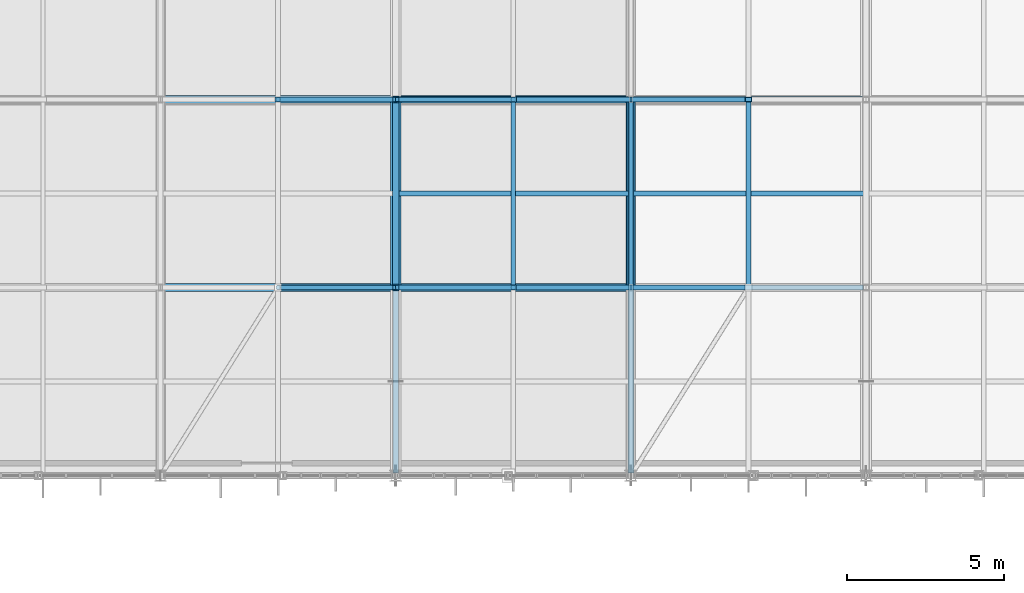
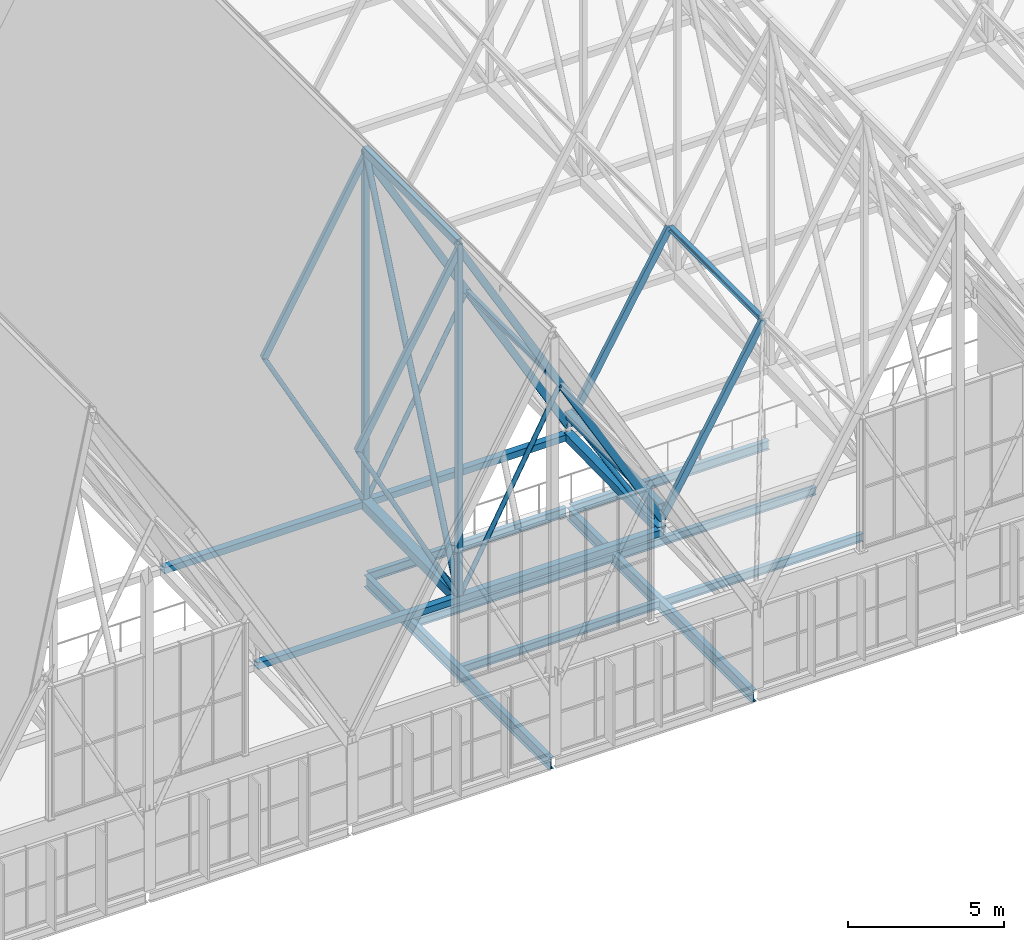
# One storey, part 132 of 324: 22 members, 10 beams.
"""IFC4 building model written with IfcOpenShell, lengths in metres."""

from ifc_helpers import new_model, si_unit, direction, frame, origin, origin_2d, place, context, subcontext, project, spatial, hollow_rectangle, hollow_circle, i_section, extrude, material, material_profile, profile_set, type_object, element, save


model = new_model("IFC4")

# Units and contexts
model_context = context("Model", 3, precision=1e-05, world=origin(), true_north=direction((0.0, 1.0)))
body_context = subcontext(model_context, "Body", "Model", "MODEL_VIEW")
ifc_project = project(units=[si_unit("LENGTHUNIT", "METRE"), si_unit("AREAUNIT", "SQUARE_METRE"), si_unit("VOLUMEUNIT", "CUBIC_METRE"), si_unit("PLANEANGLEUNIT", "RADIAN"), si_unit("MASSUNIT", "GRAM", prefix="KILO")], contexts=[model_context])

# Site, building, storey
site_placement = place(None, origin())
site = spatial("IfcSite", under=ifc_project, at=site_placement, CompositionType="ELEMENT")
building_placement = place(site_placement, origin())
building = spatial("IfcBuilding", under=site, at=building_placement, Name="Solvenia Promenade Tram Depot", CompositionType="ELEMENT")
storey_placement = place(building_placement, frame((0.0, 0.0, 4.5)))
storey = spatial("IfcBuildingStorey", under=building, at=storey_placement, Name="L01", CompositionType="ELEMENT", Elevation=4.5)

# Beams
ifc_material_1 = material(Name="Structural steel ASTM A992 Gr. 50", Category="steel")
ifc_material_profile_1 = material_profile(ifc_material_1, i_section(OverallWidth=0.19091796875, OverallDepth=0.4599609375, WebThickness=0.010009765625, FlangeThickness=0.01611328125, FilletRadius=0.012939453125, at=origin_2d()), Name="W460x82", Category="steel")
ifc_profile_set_1 = profile_set([ifc_material_profile_1], Name="Structural steel ASTM A992 Gr. 50")
beam_type_1 = type_object("IfcBeamType", Name="Beam-W460x82", PredefinedType="BEAM", material=ifc_profile_set_1)
for number, where, z_axis, x_axis, name in (
    (1, (82.5, 66.0849609375, -0.449951171875), (0.0, 1.0, 0.0), (-1.0, 0.0, 0.0), "Transverse Girder BM-L01-0052"),
    (2, (90.0, 66.0849609375, -0.449951171875), (0.0, 1.0, 0.0), (-1.0, 0.0, 0.0), "Transverse Girder BM-L01-0053"),
):
    element("IfcBeam", number, at=place(storey_placement, frame(where, z_axis=z_axis, x_axis=x_axis)), inside=storey, type_object=beam_type_1, Name=name, PredefinedType="BEAM", context=body_context, shape_type="SweptSolid", body=[
        extrude(i_section(OverallWidth=0.19091796875, OverallDepth=0.4599609375, WebThickness=0.010009765625, FlangeThickness=0.01611328125, FilletRadius=0.012939453125, at=origin_2d()), origin(), (0.0, 0.0, 1.0), 11.830078125),
    ])

# Members
ifc_material_2 = material(Name="Structural steel ASTM A500 Gr. C", Category="steel")
ifc_material_profile_2 = material_profile(ifc_material_2, hollow_circle(Radius=0.109619140625, WallThickness=0.008056640625, at=origin_2d()), Name="CHS219.1x8", Category="steel")
ifc_profile_set_2 = profile_set([ifc_material_profile_2], Name="Structural steel ASTM A500 Gr. C")
member_type_1 = type_object("IfcMemberType", Name="Brace-CHS219x8", PredefinedType="BRACE", material=ifc_profile_set_2)
member_1_placement = place(storey_placement, frame((82.5, 72.0, 2.446044921875), z_axis=(0.0, 0.396934686746, 0.917846857846), x_axis=(-1.0, 0.0, 0.0)))
element("IfcMember", 3, at=member_1_placement, inside=storey, type_object=member_type_1, Name="Arched Truss T12 Web Diagonal S02", PredefinedType="BRACE", context=body_context, shape_type="SweptSolid", body=[
    extrude(hollow_circle(Radius=0.109619140625, WallThickness=0.008056640625, at=origin_2d()), origin(), (0.0, 0.0, 1.0), 15.11572265625),
])
ifc_material_profile_3 = material_profile(ifc_material_2, hollow_rectangle(XDim=0.14990234375, YDim=0.25, WallThickness=0.010009765625, at=origin_2d()), Name="HSS250x150x10", Category="steel")
ifc_profile_set_3 = profile_set([ifc_material_profile_3], Name="Structural steel ASTM A500 Gr. C")
member_type_2 = type_object("IfcMemberType", Name="Chord-HSS250x150x10", PredefinedType="CHORD", material=ifc_profile_set_3)
for number, where, z_axis, x_axis, name in (
    (4, (78.75, 72.0, 9.501220703125), (0.494861595532, 0.0, 0.868971806946), (0.0, 1.0, 0.0), "Zigzag Gable 06 West Upper Rafter"),
    (5, (82.5, 72.0, 16.086181640625), (0.494861595532, 0.0, -0.868971806946), (0.0, 1.0, 0.0), "Zigzag Gable 06 East Upper Rafter"),
    (6, (86.25, 72.0, 9.501220703125), (0.494861595532, 0.0, -0.868971806946), (0.0, 1.0, 0.0), "Zigzag Gable 06 East Lower Rafter"),
    (7, (78.75, 78.0, 9.501220703125), (0.494861595532, 0.0, 0.868971806946), (0.0, 1.0, 0.0), "Zigzag Gable 06 West Upper Rafter"),
    (8, (82.5, 78.0, 16.086181640625), (0.494861595532, 0.0, -0.868971806946), (0.0, 1.0, 0.0), "Zigzag Gable 06 East Upper Rafter"),
    (9, (86.25, 78.0, 9.501220703125), (0.494861595532, 0.0, -0.868971806946), (0.0, 1.0, 0.0), "Zigzag Gable 06 East Lower Rafter"),
):
    element("IfcMember", number, at=place(storey_placement, frame(where, z_axis=z_axis, x_axis=x_axis)), inside=storey, type_object=member_type_2, Name=name, PredefinedType="CHORD", context=body_context, shape_type="SweptSolid", body=[
        extrude(hollow_rectangle(XDim=0.14990234375, YDim=0.25, WallThickness=0.010009765625, at=origin_2d()), origin(), (0.0, 0.0, 1.0), 7.577880859375),
    ])
for number, where, z_axis, x_axis, name in (
    (10, (90.0, 72.0, 2.921142578125), (0.501516268578, 0.0, 0.865148214095), (0.0, 1.0, 0.0), "Zigzag Gable 07 West Lower Rafter"),
    (11, (90.0, 78.0, 2.921142578125), (0.501516268578, 0.0, 0.865148214095), (0.0, 1.0, 0.0), "Zigzag Gable 07 West Lower Rafter"),
):
    element("IfcMember", number, at=place(storey_placement, frame(where, z_axis=z_axis, x_axis=x_axis)), inside=storey, type_object=member_type_2, Name=name, PredefinedType="CHORD", context=body_context, shape_type="SweptSolid", body=[
        extrude(hollow_rectangle(XDim=0.14990234375, YDim=0.25, WallThickness=0.010009765625, at=origin_2d()), origin(), (0.0, 0.0, 1.0), 7.477294921875),
    ])
ifc_material_profile_4 = material_profile(ifc_material_2, hollow_rectangle(XDim=0.25, YDim=0.25, WallThickness=0.010009765625, at=origin_2d()), Name="HSS250x250x10", Category="steel")
ifc_profile_set_4 = profile_set([ifc_material_profile_4], Name="Structural steel ASTM A500 Gr. C")
member_type_3 = type_object("IfcMemberType", Name="Chord-HSS250x250x10", PredefinedType="CHORD", material=ifc_profile_set_4)
member_2_placement = place(storey_placement, frame((90.0, 72.0, 3.3798828125), z_axis=(0.0, 1.0, 0.0), x_axis=(-1.0, 0.0, 0.0)))
element("IfcMember", 12, at=member_2_placement, inside=storey, type_object=member_type_3, Name="Arched Truss T13 Upper Chord S02", PredefinedType="CHORD", context=body_context, shape_type="SweptSolid", body=[
    extrude(hollow_rectangle(XDim=0.25, YDim=0.25, WallThickness=0.010009765625, at=origin_2d()), origin(), (0.0, 0.0, 1.0), 6.0),
])
for number, where, z_axis, x_axis, name in (
    (13, (75.0, 72.0, 2.446044921875), (1.0, 0.0, 0.0), (0.0, 1.0, 0.0), "Bottom-Chord Catenary Lateral Tie 046"),
    (14, (75.0, 78.0, 2.5439453125), (1.0, 0.0, 0.0), (0.0, 1.0, 0.0), "Bottom-Chord Catenary Lateral Tie 047"),
):
    element("IfcMember", number, at=place(storey_placement, frame(where, z_axis=z_axis, x_axis=x_axis)), inside=storey, type_object=member_type_3, Name=name, PredefinedType="CHORD", context=body_context, shape_type="SweptSolid", body=[
        extrude(hollow_rectangle(XDim=0.25, YDim=0.25, WallThickness=0.010009765625, at=origin_2d()), origin(), (0.0, 0.0, 1.0), 15.0),
    ])
ifc_material_profile_5 = material_profile(ifc_material_2, hollow_rectangle(XDim=0.199951171875, YDim=0.300048828125, WallThickness=0.012451171875, at=origin_2d()), Name="HSS300x200x12.5", Category="steel")
ifc_profile_set_5 = profile_set([ifc_material_profile_5], Name="Structural steel ASTM A500 Gr. C")
member_type_4 = type_object("IfcMemberType", Name="Chord-HSS300x200x12", PredefinedType="CHORD", material=ifc_profile_set_5)
member_3_placement = place(storey_placement, frame((82.5, 72.0, 16.320068359375), z_axis=(0.0, 1.0, 0.0), x_axis=(-1.0, 0.0, 0.0)))
element("IfcMember", 15, at=member_3_placement, inside=storey, type_object=member_type_4, Name="Arched Truss T12 Upper Chord S02", PredefinedType="CHORD", context=body_context, shape_type="SweptSolid", body=[
    extrude(hollow_rectangle(XDim=0.199951171875, YDim=0.300048828125, WallThickness=0.012451171875, at=origin_2d()), origin(), (0.0, 0.0, 1.0), 6.0),
])
ifc_material_profile_6 = material_profile(ifc_material_2, hollow_rectangle(XDim=0.300048828125, YDim=0.300048828125, WallThickness=0.012451171875, at=origin_2d()), Name="HSS300x300x12.5", Category="steel")
ifc_profile_set_6 = profile_set([ifc_material_profile_6], Name="Structural steel ASTM A500 Gr. C")
member_type_5 = type_object("IfcMemberType", Name="Chord-HSS300x300x12", PredefinedType="CHORD", material=ifc_profile_set_6)
member_4_placement = place(storey_placement, frame((90.0, 72.0, 2.446044921875), z_axis=(0.0, 0.999866908707, 0.016314560156), x_axis=(-1.0, 0.0, 0.0)))
element("IfcMember", 16, at=member_4_placement, inside=storey, type_object=member_type_5, Name="Arched Truss T13 Bottom Chord S02", PredefinedType="CHORD", context=body_context, shape_type="SweptSolid", body=[
    extrude(hollow_rectangle(XDim=0.300048828125, YDim=0.300048828125, WallThickness=0.012451171875, at=origin_2d()), origin(), (0.0, 0.0, 1.0), 6.000732421875),
])
ifc_material_profile_7 = material_profile(ifc_material_2, hollow_rectangle(XDim=0.35009765625, YDim=0.35009765625, WallThickness=0.01611328125, at=origin_2d()), Name="HSS350x350x16", Category="steel")
ifc_profile_set_7 = profile_set([ifc_material_profile_7], Name="Structural steel ASTM A500 Gr. C")
member_type_6 = type_object("IfcMemberType", Name="Chord-HSS350x350x16", PredefinedType="CHORD", material=ifc_profile_set_7)
member_5_placement = place(storey_placement, frame((82.5, 72.0, 2.446044921875), z_axis=(0.0, 0.999866908707, 0.016314560156), x_axis=(-1.0, 0.0, 0.0)))
element("IfcMember", 17, at=member_5_placement, inside=storey, type_object=member_type_6, Name="Arched Truss T12 Bottom Chord S02", PredefinedType="CHORD", context=body_context, shape_type="SweptSolid", body=[
    extrude(hollow_rectangle(XDim=0.35009765625, YDim=0.35009765625, WallThickness=0.01611328125, at=origin_2d()), origin(), (0.0, 0.0, 1.0), 6.000732421875),
])

# Beams
ifc_material_profile_8 = material_profile(ifc_material_1, i_section(OverallWidth=0.166015625, OverallDepth=0.31298828125, WebThickness=0.006591796875, FlangeThickness=0.01123046875, FilletRadius=0.010009765625, at=origin_2d()), Name="W310x45", Category="steel")
ifc_profile_set_8 = profile_set([ifc_material_profile_8], Name="Structural steel ASTM A992 Gr. 50")
beam_type_2 = type_object("IfcBeamType", Name="Joist-W310x45", PredefinedType="JOIST", material=ifc_profile_set_8)
for number, where, z_axis, x_axis, name in (
    (18, (82.5849609375, 72.0, -0.37646484375), (1.0, 0.0, 0.0), (0.0, 1.0, 0.0), "Secondary Floor Joist BM-L01-0095"),
    (19, (82.5849609375, 75.0, -0.37646484375), (1.0, 0.0, 0.0), (0.0, 1.0, 0.0), "Secondary Floor Joist BM-L01-0096"),
    (20, (90.0849609375, 72.0, -0.37646484375), (1.0, 0.0, 0.0), (0.0, 1.0, 0.0), "Secondary Floor Joist BM-L01-0098"),
    (21, (90.0849609375, 75.0, -0.37646484375), (1.0, 0.0, 0.0), (0.0, 1.0, 0.0), "Secondary Floor Joist BM-L01-0099"),
):
    element("IfcBeam", number, at=place(storey_placement, frame(where, z_axis=z_axis, x_axis=x_axis)), inside=storey, type_object=beam_type_2, Name=name, PredefinedType="JOIST", context=body_context, shape_type="SweptSolid", body=[
        extrude(i_section(OverallWidth=0.166015625, OverallDepth=0.31298828125, WebThickness=0.006591796875, FlangeThickness=0.01123046875, FilletRadius=0.010009765625, at=origin_2d()), origin(), (0.0, 0.0, 1.0), 7.330078125),
    ])

# Members
ifc_material_profile_9 = material_profile(ifc_material_2, hollow_rectangle(XDim=0.199951171875, YDim=0.199951171875, WallThickness=0.010009765625, at=origin_2d()), Name="HSS200x200x10", Category="steel")
ifc_profile_set_9 = profile_set([ifc_material_profile_9], Name="Structural steel ASTM A500 Gr. C")
member_type_7 = type_object("IfcMemberType", Name="Post-HSS200x200x10", PredefinedType="POST", material=ifc_profile_set_9)
member_6_placement = place(storey_placement, frame((82.5, 72.0, 2.446044921875), z_axis=(0.0, 0.0, 1.0), x_axis=(1.0, 0.0, 0.0)))
element("IfcMember", 22, at=member_6_placement, inside=storey, type_object=member_type_7, Name="Arched Truss T12 Web Post S01", PredefinedType="POST", context=body_context, shape_type="SweptSolid", body=[
    extrude(hollow_rectangle(XDim=0.199951171875, YDim=0.199951171875, WallThickness=0.010009765625, at=origin_2d()), origin(), (0.0, 0.0, 1.0), 13.8740234375),
])
member_7_placement = place(storey_placement, frame((82.5, 78.0, 2.5439453125), z_axis=(0.0, 0.0, 1.0), x_axis=(1.0, 0.0, 0.0)))
element("IfcMember", 23, at=member_7_placement, inside=storey, type_object=member_type_7, Name="Arched Truss T12 Web Post S02", PredefinedType="POST", context=body_context, shape_type="SweptSolid", body=[
    extrude(hollow_rectangle(XDim=0.199951171875, YDim=0.199951171875, WallThickness=0.010009765625, at=origin_2d()), origin(), (0.0, 0.0, 1.0), 13.776123046875),
])

# Beams
ifc_material_profile_10 = material_profile(ifc_material_1, i_section(OverallWidth=0.133056640625, OverallDepth=0.20703125, WebThickness=0.005859375, FlangeThickness=0.00830078125, FilletRadius=0.009033203125, at=origin_2d()), Name="W200x27", Category="steel")
ifc_profile_set_10 = profile_set([ifc_material_profile_10], Name="Structural steel ASTM A992 Gr. 50")
beam_type_3 = type_object("IfcBeamType", Name="Purlin-W200x27", PredefinedType="USERDEFINED", material=ifc_profile_set_10)
beam_1_placement = place(storey_placement, frame((86.25, 72.0849609375, 9.484130859375), z_axis=(0.0, 1.0, 0.0), x_axis=(-1.0, 0.0, 0.0)))
element("IfcBeam", 24, at=beam_1_placement, inside=storey, type_object=beam_type_3, Name="Gable Roof Purlin E-0104", ObjectType="PURLIN", PredefinedType="USERDEFINED", context=body_context, shape_type="SweptSolid", body=[
    extrude(i_section(OverallWidth=0.133056640625, OverallDepth=0.20703125, WebThickness=0.005859375, FlangeThickness=0.00830078125, FilletRadius=0.009033203125, at=origin_2d()), origin(), (0.0, 0.0, 1.0), 5.830078125),
])
ifc_material_profile_11 = material_profile(ifc_material_1, i_section(OverallWidth=0.1650390625, OverallDepth=0.200927734375, WebThickness=0.006103515625, FlangeThickness=0.01025390625, FilletRadius=0.010009765625, at=origin_2d()), Name="W200x36", Category="steel")
ifc_profile_set_11 = profile_set([ifc_material_profile_11], Name="Structural steel ASTM A992 Gr. 50")
beam_type_4 = type_object("IfcBeamType", Name="Purlin-W200x36", PredefinedType="USERDEFINED", material=ifc_profile_set_11)
beam_2_placement = place(storey_placement, frame((93.75, 72.0849609375, 9.375732421875), z_axis=(0.0, 1.0, 0.0), x_axis=(-1.0, 0.0, 0.0)))
element("IfcBeam", 25, at=beam_2_placement, inside=storey, type_object=beam_type_4, Name="Gable Roof Purlin W-0123", ObjectType="PURLIN", PredefinedType="USERDEFINED", context=body_context, shape_type="SweptSolid", body=[
    extrude(i_section(OverallWidth=0.1650390625, OverallDepth=0.200927734375, WebThickness=0.006103515625, FlangeThickness=0.01025390625, FilletRadius=0.010009765625, at=origin_2d()), origin(), (0.0, 0.0, 1.0), 5.830078125),
])
ifc_material_profile_12 = material_profile(ifc_material_1, i_section(OverallWidth=0.172119140625, OverallDepth=0.35791015625, WebThickness=0.0078125, FlangeThickness=0.01318359375, FilletRadius=0.010986328125, at=origin_2d()), Name="W360x57", Category="steel")
ifc_profile_set_12 = profile_set([ifc_material_profile_12], Name="Structural steel ASTM A992 Gr. 50")
beam_type_5 = type_object("IfcBeamType", Name="Spandrel-W360x57", PredefinedType="SPANDREL", material=ifc_profile_set_12)
for number, where, z_axis, x_axis, name in (
    (26, (82.5849609375, 78.0, -0.39892578125), (1.0, 0.0, 0.0), (0.0, 1.0, 0.0), "Perimeter Spandrel BM-L01-0032"),
    (27, (90.0849609375, 78.0, -0.39892578125), (1.0, 0.0, 0.0), (0.0, 1.0, 0.0), "Perimeter Spandrel BM-L01-0033"),
):
    element("IfcBeam", number, at=place(storey_placement, frame(where, z_axis=z_axis, x_axis=x_axis)), inside=storey, type_object=beam_type_5, Name=name, PredefinedType="SPANDREL", context=body_context, shape_type="SweptSolid", body=[
        extrude(i_section(OverallWidth=0.172119140625, OverallDepth=0.35791015625, WebThickness=0.0078125, FlangeThickness=0.01318359375, FilletRadius=0.010986328125, at=origin_2d()), origin(), (0.0, 0.0, 1.0), 7.330078125),
    ])

# Members
ifc_material_profile_13 = material_profile(ifc_material_2, hollow_circle(Radius=0.084228515625, WallThickness=0.008056640625, at=origin_2d()), Name="CHS168.3x8", Category="steel")
ifc_profile_set_13 = profile_set([ifc_material_profile_13], Name="Structural steel ASTM A500 Gr. C")
member_type_8 = type_object("IfcMemberType", Name="WebDiag-CHS168x8", PredefinedType="BRACE", material=ifc_profile_set_13)
member_8_placement = place(storey_placement, frame((90.0, 72.0, 2.446044921875), z_axis=(0.0, 0.9881038455, 0.153788135133), x_axis=(-1.0, 0.0, 0.0)))
element("IfcMember", 28, at=member_8_placement, inside=storey, type_object=member_type_8, Name="Arched Truss T13 Web Diagonal S02", PredefinedType="BRACE", context=body_context, shape_type="SweptSolid", body=[
    extrude(hollow_circle(Radius=0.084228515625, WallThickness=0.008056640625, at=origin_2d()), origin(), (0.0, 0.0, 1.0), 6.072265625),
])
for number, where, z_axis, x_axis, name in (
    (29, (82.5, 72.0, 2.446044921875), (-0.469344370871, 0.0, 0.883015210249), (0.0, -1.0, 0.0), "Zigzag Gable 06 West Knee Strut"),
    (30, (82.5, 72.0, 2.446044921875), (0.469344370871, 0.0, 0.883015210249), (0.0, 1.0, 0.0), "Zigzag Gable 06 East Knee Strut"),
):
    element("IfcMember", number, at=place(storey_placement, frame(where, z_axis=z_axis, x_axis=x_axis)), inside=storey, type_object=member_type_8, Name=name, PredefinedType="BRACE", context=body_context, shape_type="SweptSolid", body=[
        extrude(hollow_circle(Radius=0.084228515625, WallThickness=0.008056640625, at=origin_2d()), origin(), (0.0, 0.0, 1.0), 7.989990234375),
    ])
for number, where, z_axis, x_axis, name in (
    (31, (82.5, 78.0, 2.5439453125), (-0.47447003574, 0.0, 0.880271654198), (0.0, -1.0, 0.0), "Zigzag Gable 06 West Knee Strut"),
    (32, (82.5, 78.0, 2.5439453125), (0.47447003574, 0.0, 0.880271654198), (0.0, 1.0, 0.0), "Zigzag Gable 06 East Knee Strut"),
):
    element("IfcMember", number, at=place(storey_placement, frame(where, z_axis=z_axis, x_axis=x_axis)), inside=storey, type_object=member_type_8, Name=name, PredefinedType="BRACE", context=body_context, shape_type="SweptSolid", body=[
        extrude(hollow_circle(Radius=0.084228515625, WallThickness=0.008056640625, at=origin_2d()), origin(), (0.0, 0.0, 1.0), 7.903564453125),
    ])

save(model, "model.ifc")
